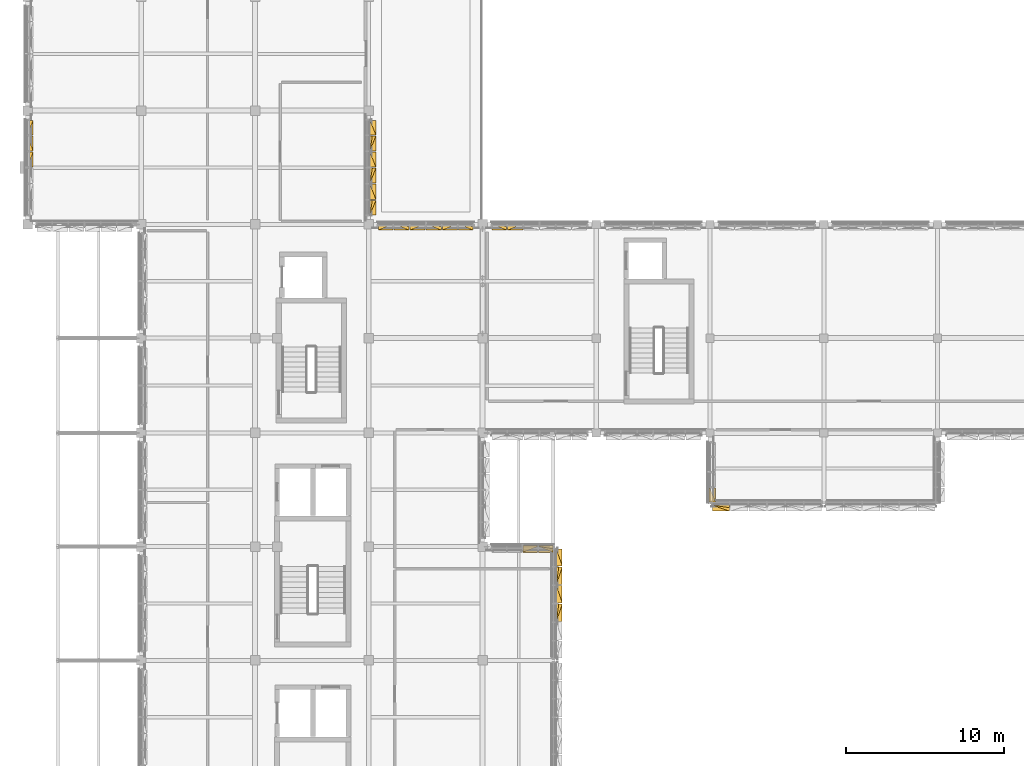
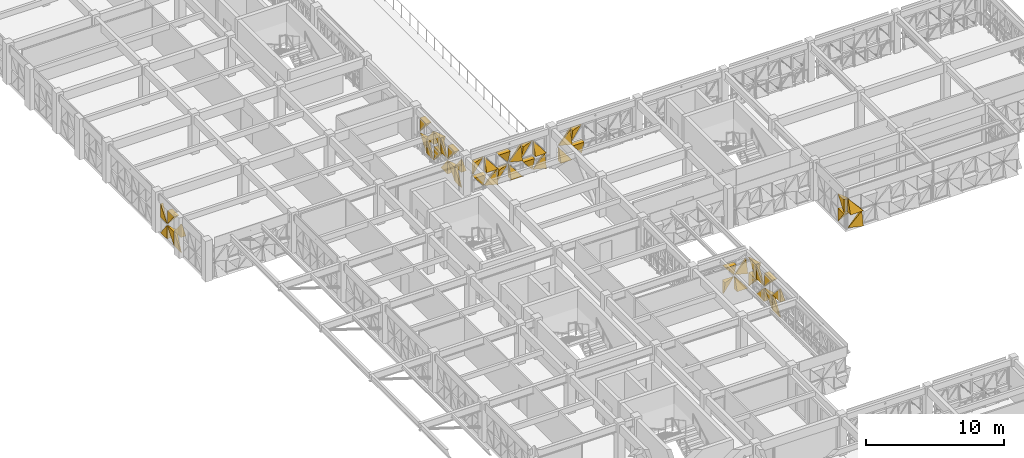
# One storey, part 91 of 99: 50 coverings.
"""IFC4 building model written with IfcOpenShell, lengths in metres."""

from ifc_helpers import new_model, si_unit, direction, frame, origin, place, context, subcontext, project, spatial, polygons, material, layer, layer_set, type_object, element, save


model = new_model("IFC4")

# Units and contexts
model_context = context("Model", 3, precision=1e-05, world=origin(), true_north=direction((0.0, 1.0)))
body_context = subcontext(model_context, "Body", "Model", "MODEL_VIEW")
ifc_project = project(units=[si_unit("LENGTHUNIT", "METRE"), si_unit("AREAUNIT", "SQUARE_METRE"), si_unit("VOLUMEUNIT", "CUBIC_METRE"), si_unit("PLANEANGLEUNIT", "RADIAN"), si_unit("MASSUNIT", "GRAM", prefix="KILO")], contexts=[model_context])

# Site, building, storey
site_placement = place(None, origin())
site = spatial("IfcSite", under=ifc_project, at=site_placement, CompositionType="ELEMENT")
building_placement = place(site_placement, origin())
building = spatial("IfcBuilding", under=site, at=building_placement, Name="Alvorim Cloister Faculty of Sciences", CompositionType="ELEMENT")
storey_placement = place(building_placement, frame((0.0, 0.0, 12.14990234375)))
storey = spatial("IfcBuildingStorey", under=building, at=storey_placement, Name="L03", CompositionType="ELEMENT", Elevation=12.14990234375)

# Coverings
ifc_material = material(Name="Perforated Bronze Alloy Sheet", Category="metal")
ifc_layer = layer(ifc_material, 0.0380859375)
ifc_layer_set = layer_set([ifc_layer], Name="Perforated Bronze Alloy Sheet")
covering_type = type_object("IfcCoveringType", Name="COV-TRI-BRZ", PredefinedType="CLADDING", material=ifc_layer_set)
covering_1_placement = place(storey_placement, frame((-0.044921875, 60.032470703125, 0.14013671875), z_axis=(0.0, 0.0, 1.0), x_axis=(0.0, 1.0, 0.0)))
element("IfcCovering", 1, at=covering_1_placement, inside=storey, type_object=covering_type, Name="Diagonal Solid Metal Triangle TRI-BR", PredefinedType="CLADDING", context=body_context, shape_type="Tessellation", body=[
    polygons([(0.002, 0.0260009765625, 0.0), (0.955078125, 0.0260009765625, 0.0), (0.955078125, 0.0260009765625, 1.21284375), (0.002, -0.03, 0.0), (0.955078125, -0.4, 0.0), (0.955078125, -0.18000000000000002, 1.21284375)], [[[1, 3, 2]], [[4, 5, 6]], [[1, 2, 5, 4]], [[2, 3, 6, 5]], [[3, 1, 4, 6]]], closed=True),
])
covering_2_placement = place(storey_placement, frame((-0.044921875, 60.032470703125, 1.4951171875), z_axis=(0.0, 0.0, 1.0), x_axis=(0.0, 1.0, 0.0)))
element("IfcCovering", 2, at=covering_2_placement, inside=storey, type_object=covering_type, Name="Diagonal Solid Metal Triangle TRI-BL", PredefinedType="CLADDING", context=body_context, shape_type="Tessellation", body=[
    polygons([(0.0, 0.0260009765625, 0.0), (0.953078125, 0.0260009765625, 0.0), (0.0, 0.0260009765625, 1.213087890625), (0.0, -0.4, 0.0), (0.953078125, -0.4, 0.0), (0.0, -0.03, 1.213087890625)], [[[1, 3, 2]], [[4, 5, 6]], [[1, 2, 5, 4]], [[2, 3, 6, 5]], [[3, 1, 4, 6]]], closed=True),
])
covering_3_placement = place(storey_placement, frame((-0.044921875, 61.052490234375, 0.14013671875), z_axis=(0.0, 0.0, 1.0), x_axis=(0.0, 1.0, 0.0)))
element("IfcCovering", 3, at=covering_3_placement, inside=storey, type_object=covering_type, Name="Diagonal Solid Metal Triangle TRI-TL", PredefinedType="CLADDING", context=body_context, shape_type="Tessellation", body=[
    polygons([(0.953078125, 0.0260009765625, 1.21484375), (0.0, 0.0260009765625, 1.21484375), (0.0, 0.0260009765625, 0.002), (0.953078125, -0.03, 1.21484375), (0.0, -0.4, 1.21484375), (0.0, -0.13999999999999999, 0.002)], [[[1, 3, 2]], [[4, 5, 6]], [[1, 2, 5, 4]], [[2, 3, 6, 5]], [[3, 1, 4, 6]]], closed=True),
])
covering_4_placement = place(storey_placement, frame((-0.044921875, 61.052490234375, 1.4951171875), z_axis=(0.0, 0.0, 1.0), x_axis=(0.0, 1.0, 0.0)))
element("IfcCovering", 4, at=covering_4_placement, inside=storey, type_object=covering_type, Name="Diagonal Solid Metal Triangle TRI-TR", PredefinedType="CLADDING", context=body_context, shape_type="Tessellation", body=[
    polygons([(0.955078125, 0.0260009765625, 0.002), (0.955078125, 0.0260009765625, 1.215087890625), (0.002, 0.0260009765625, 1.215087890625), (0.955078125, -0.03, 0.002), (0.955078125, -0.4, 1.215087890625), (0.002, -0.4, 1.215087890625)], [[[1, 3, 2]], [[4, 5, 6]], [[1, 2, 5, 4]], [[2, 3, 6, 5]], [[3, 1, 4, 6]]], closed=True),
])
covering_5_placement = place(storey_placement, frame((-0.044921875, 62.072509765625, 0.14013671875), z_axis=(0.0, 0.0, 1.0), x_axis=(0.0, 1.0, 0.0)))
element("IfcCovering", 5, at=covering_5_placement, inside=storey, type_object=covering_type, Name="Diagonal Solid Metal Triangle TRI-BL", PredefinedType="CLADDING", context=body_context, shape_type="Tessellation", body=[
    polygons([(0.0, 0.0260009765625, 0.0), (0.920607421875, 0.0260009765625, 0.0), (0.0, 0.0260009765625, 1.21284375), (0.0, -0.4, 0.0), (0.920607421875, -0.4, 0.0), (0.0, -0.03, 1.21284375)], [[[1, 3, 2]], [[4, 5, 6]], [[1, 2, 5, 4]], [[2, 3, 6, 5]], [[3, 1, 4, 6]]], closed=True),
])
covering_6_placement = place(storey_placement, frame((-0.044921875, 62.072509765625, 1.4951171875), z_axis=(0.0, 0.0, 1.0), x_axis=(0.0, 1.0, 0.0)))
element("IfcCovering", 6, at=covering_6_placement, inside=storey, type_object=covering_type, Name="Diagonal Solid Metal Triangle TRI-BR", PredefinedType="CLADDING", context=body_context, shape_type="Tessellation", body=[
    polygons([(0.002, 0.0260009765625, 0.0), (0.922607421875, 0.0260009765625, 0.0), (0.922607421875, 0.0260009765625, 1.213087890625), (0.002, -0.03, 0.0), (0.922607421875, -0.4, 0.0), (0.922607421875, -0.18000000000000002, 1.213087890625)], [[[1, 3, 2]], [[4, 5, 6]], [[1, 2, 5, 4]], [[2, 3, 6, 5]], [[3, 1, 4, 6]]], closed=True),
])
covering_7_placement = place(storey_placement, frame((21.64501953125, 57.0048828125, 0.14013671875), z_axis=(0.0, 0.0, 1.0), x_axis=(0.0, 1.0, 0.0)))
element("IfcCovering", 7, at=covering_7_placement, inside=storey, type_object=covering_type, Name="Diagonal Solid Metal Triangle TRI-BR", PredefinedType="CLADDING", context=body_context, shape_type="Tessellation", body=[
    polygons([(0.002, 0.0260009765625, 0.0), (0.922607421875, 0.0260009765625, 0.0), (0.922607421875, 0.0260009765625, 1.21284375), (0.002, -0.03, 0.0), (0.922607421875, -0.4, 0.0), (0.922607421875, -0.18000000000000002, 1.21284375)], [[[1, 3, 2]], [[4, 5, 6]], [[1, 2, 5, 4]], [[2, 3, 6, 5]], [[3, 1, 4, 6]]], closed=True),
])
covering_8_placement = place(storey_placement, frame((21.64501953125, 57.0048828125, 1.4951171875), z_axis=(0.0, 0.0, 1.0), x_axis=(0.0, 1.0, 0.0)))
element("IfcCovering", 8, at=covering_8_placement, inside=storey, type_object=covering_type, Name="Diagonal Solid Metal Triangle TRI-BL", PredefinedType="CLADDING", context=body_context, shape_type="Tessellation", body=[
    polygons([(0.0, 0.0260009765625, 0.0), (0.920607421875, 0.0260009765625, 0.0), (0.0, 0.0260009765625, 1.213087890625), (0.0, -0.4, 0.0), (0.920607421875, -0.4, 0.0), (0.0, -0.03, 1.213087890625)], [[[1, 3, 2]], [[4, 5, 6]], [[1, 2, 5, 4]], [[2, 3, 6, 5]], [[3, 1, 4, 6]]], closed=True),
])
covering_9_placement = place(storey_placement, frame((21.64501953125, 57.992431640625, 0.14013671875), z_axis=(0.0, 0.0, 1.0), x_axis=(0.0, 1.0, 0.0)))
element("IfcCovering", 9, at=covering_9_placement, inside=storey, type_object=covering_type, Name="Diagonal Solid Metal Triangle TRI-TL", PredefinedType="CLADDING", context=body_context, shape_type="Tessellation", body=[
    polygons([(0.953078125, 0.0260009765625, 1.21484375), (0.0, 0.0260009765625, 1.21484375), (0.0, 0.0260009765625, 0.002), (0.953078125, -0.03, 1.21484375), (0.0, -0.4, 1.21484375), (0.0, -0.13999999999999999, 0.002)], [[[1, 3, 2]], [[4, 5, 6]], [[1, 2, 5, 4]], [[2, 3, 6, 5]], [[3, 1, 4, 6]]], closed=True),
])
covering_10_placement = place(storey_placement, frame((21.64501953125, 57.992431640625, 1.4951171875), z_axis=(0.0, 0.0, 1.0), x_axis=(0.0, 1.0, 0.0)))
element("IfcCovering", 10, at=covering_10_placement, inside=storey, type_object=covering_type, Name="Diagonal Solid Metal Triangle TRI-TR", PredefinedType="CLADDING", context=body_context, shape_type="Tessellation", body=[
    polygons([(0.955078125, 0.0260009765625, 0.002), (0.955078125, 0.0260009765625, 1.215087890625), (0.002, 0.0260009765625, 1.215087890625), (0.955078125, -0.03, 0.002), (0.955078125, -0.4, 1.215087890625), (0.002, -0.4, 1.215087890625)], [[[1, 3, 2]], [[4, 5, 6]], [[1, 2, 5, 4]], [[2, 3, 6, 5]], [[3, 1, 4, 6]]], closed=True),
])
covering_11_placement = place(storey_placement, frame((21.64501953125, 59.012451171875, 0.14013671875), z_axis=(0.0, 0.0, 1.0), x_axis=(0.0, 1.0, 0.0)))
element("IfcCovering", 11, at=covering_11_placement, inside=storey, type_object=covering_type, Name="Diagonal Solid Metal Triangle TRI-BL", PredefinedType="CLADDING", context=body_context, shape_type="Tessellation", body=[
    polygons([(0.0, 0.0260009765625, 0.0), (0.953078125, 0.0260009765625, 0.0), (0.0, 0.0260009765625, 1.21284375), (0.0, -0.4, 0.0), (0.953078125, -0.4, 0.0), (0.0, -0.03, 1.21284375)], [[[1, 3, 2]], [[4, 5, 6]], [[1, 2, 5, 4]], [[2, 3, 6, 5]], [[3, 1, 4, 6]]], closed=True),
])
covering_12_placement = place(storey_placement, frame((21.64501953125, 59.012451171875, 1.4951171875), z_axis=(0.0, 0.0, 1.0), x_axis=(0.0, 1.0, 0.0)))
element("IfcCovering", 12, at=covering_12_placement, inside=storey, type_object=covering_type, Name="Diagonal Solid Metal Triangle TRI-BR", PredefinedType="CLADDING", context=body_context, shape_type="Tessellation", body=[
    polygons([(0.002, 0.0260009765625, 0.0), (0.955078125, 0.0260009765625, 0.0), (0.955078125, 0.0260009765625, 1.213087890625), (0.002, -0.03, 0.0), (0.955078125, -0.4, 0.0), (0.955078125, -0.18000000000000002, 1.213087890625)], [[[1, 3, 2]], [[4, 5, 6]], [[1, 2, 5, 4]], [[2, 3, 6, 5]], [[3, 1, 4, 6]]], closed=True),
])
covering_13_placement = place(storey_placement, frame((21.64501953125, 60.032470703125, 0.14013671875), z_axis=(0.0, 0.0, 1.0), x_axis=(0.0, 1.0, 0.0)))
element("IfcCovering", 13, at=covering_13_placement, inside=storey, type_object=covering_type, Name="Diagonal Solid Metal Triangle TRI-TR", PredefinedType="CLADDING", context=body_context, shape_type="Tessellation", body=[
    polygons([(0.955078125, 0.0260009765625, 0.002), (0.955078125, 0.0260009765625, 1.21484375), (0.002, 0.0260009765625, 1.21484375), (0.955078125, -0.03, 0.002), (0.955078125, -0.4, 1.21484375), (0.002, -0.4, 1.21484375)], [[[1, 3, 2]], [[4, 5, 6]], [[1, 2, 5, 4]], [[2, 3, 6, 5]], [[3, 1, 4, 6]]], closed=True),
])
covering_14_placement = place(storey_placement, frame((21.64501953125, 60.032470703125, 1.4951171875), z_axis=(0.0, 0.0, 1.0), x_axis=(0.0, 1.0, 0.0)))
element("IfcCovering", 14, at=covering_14_placement, inside=storey, type_object=covering_type, Name="Diagonal Solid Metal Triangle TRI-TL", PredefinedType="CLADDING", context=body_context, shape_type="Tessellation", body=[
    polygons([(0.953078125, 0.0260009765625, 1.215087890625), (0.0, 0.0260009765625, 1.215087890625), (0.0, 0.0260009765625, 0.002), (0.953078125, -0.03, 1.215087890625), (0.0, -0.4, 1.215087890625), (0.0, -0.13999999999999999, 0.002)], [[[1, 3, 2]], [[4, 5, 6]], [[1, 2, 5, 4]], [[2, 3, 6, 5]], [[3, 1, 4, 6]]], closed=True),
])
covering_15_placement = place(storey_placement, frame((21.64501953125, 61.052490234375, 0.14013671875), z_axis=(0.0, 0.0, 1.0), x_axis=(0.0, 1.0, 0.0)))
element("IfcCovering", 15, at=covering_15_placement, inside=storey, type_object=covering_type, Name="Diagonal Solid Metal Triangle TRI-BR", PredefinedType="CLADDING", context=body_context, shape_type="Tessellation", body=[
    polygons([(0.002, 0.0260009765625, 0.0), (0.955078125, 0.0260009765625, 0.0), (0.955078125, 0.0260009765625, 1.21284375), (0.002, -0.03, 0.0), (0.955078125, -0.4, 0.0), (0.955078125, -0.18000000000000002, 1.21284375)], [[[1, 3, 2]], [[4, 5, 6]], [[1, 2, 5, 4]], [[2, 3, 6, 5]], [[3, 1, 4, 6]]], closed=True),
])
covering_16_placement = place(storey_placement, frame((21.64501953125, 61.052490234375, 1.4951171875), z_axis=(0.0, 0.0, 1.0), x_axis=(0.0, 1.0, 0.0)))
element("IfcCovering", 16, at=covering_16_placement, inside=storey, type_object=covering_type, Name="Diagonal Solid Metal Triangle TRI-BL", PredefinedType="CLADDING", context=body_context, shape_type="Tessellation", body=[
    polygons([(0.0, 0.0260009765625, 0.0), (0.953078125, 0.0260009765625, 0.0), (0.0, 0.0260009765625, 1.213087890625), (0.0, -0.4, 0.0), (0.953078125, -0.4, 0.0), (0.0, -0.03, 1.213087890625)], [[[1, 3, 2]], [[4, 5, 6]], [[1, 2, 5, 4]], [[2, 3, 6, 5]], [[3, 1, 4, 6]]], closed=True),
])
covering_17_placement = place(storey_placement, frame((21.64501953125, 62.072509765625, 0.14013671875), z_axis=(0.0, 0.0, 1.0), x_axis=(0.0, 1.0, 0.0)))
element("IfcCovering", 17, at=covering_17_placement, inside=storey, type_object=covering_type, Name="Diagonal Solid Metal Triangle TRI-TL", PredefinedType="CLADDING", context=body_context, shape_type="Tessellation", body=[
    polygons([(0.920607421875, 0.0260009765625, 1.21484375), (0.0, 0.0260009765625, 1.21484375), (0.0, 0.0260009765625, 0.002), (0.920607421875, -0.03, 1.21484375), (0.0, -0.4, 1.21484375), (0.0, -0.13999999999999999, 0.002)], [[[1, 3, 2]], [[4, 5, 6]], [[1, 2, 5, 4]], [[2, 3, 6, 5]], [[3, 1, 4, 6]]], closed=True),
])
covering_18_placement = place(storey_placement, frame((21.64501953125, 62.072509765625, 1.4951171875), z_axis=(0.0, 0.0, 1.0), x_axis=(0.0, 1.0, 0.0)))
element("IfcCovering", 18, at=covering_18_placement, inside=storey, type_object=covering_type, Name="Diagonal Solid Metal Triangle TRI-TR", PredefinedType="CLADDING", context=body_context, shape_type="Tessellation", body=[
    polygons([(0.922607421875, 0.0260009765625, 0.002), (0.922607421875, 0.0260009765625, 1.215087890625), (0.002, 0.0260009765625, 1.215087890625), (0.922607421875, -0.03, 0.002), (0.922607421875, -0.4, 1.215087890625), (0.002, -0.4, 1.215087890625)], [[[1, 3, 2]], [[4, 5, 6]], [[1, 2, 5, 4]], [[2, 3, 6, 5]], [[3, 1, 4, 6]]], closed=True),
])
covering_19_placement = place(storey_placement, frame((22.205078125, 56.445068359375, 0.14013671875), z_axis=(0.0, 0.0, 1.0), x_axis=(1.0, 0.0, 0.0)))
element("IfcCovering", 19, at=covering_19_placement, inside=storey, type_object=covering_type, Name="Diagonal Solid Metal Triangle TRI-TR", PredefinedType="CLADDING", context=body_context, shape_type="Tessellation", body=[
    polygons([(0.922607421875, 0.0260009765625, 0.002), (0.922607421875, 0.0260009765625, 1.21484375), (0.002, 0.0260009765625, 1.21484375), (0.922607421875, -0.03, 0.002), (0.922607421875, -0.4, 1.21484375), (0.002, -0.4, 1.21484375)], [[[1, 3, 2]], [[4, 5, 6]], [[1, 2, 5, 4]], [[2, 3, 6, 5]], [[3, 1, 4, 6]]], closed=True),
])
covering_20_placement = place(storey_placement, frame((22.205078125, 56.445068359375, 1.4951171875), z_axis=(0.0, 0.0, 1.0), x_axis=(1.0, 0.0, 0.0)))
element("IfcCovering", 20, at=covering_20_placement, inside=storey, type_object=covering_type, Name="Diagonal Solid Metal Triangle TRI-TL", PredefinedType="CLADDING", context=body_context, shape_type="Tessellation", body=[
    polygons([(0.920607421875, 0.0260009765625, 1.215087890625), (0.0, 0.0260009765625, 1.215087890625), (0.0, 0.0260009765625, 0.002), (0.920607421875, -0.03, 1.215087890625), (0.0, -0.4, 1.215087890625), (0.0, -0.13999999999999999, 0.002)], [[[1, 3, 2]], [[4, 5, 6]], [[1, 2, 5, 4]], [[2, 3, 6, 5]], [[3, 1, 4, 6]]], closed=True),
])
covering_21_placement = place(storey_placement, frame((23.1923828125, 56.445068359375, 0.14013671875), z_axis=(0.0, 0.0, 1.0), x_axis=(1.0, 0.0, 0.0)))
element("IfcCovering", 21, at=covering_21_placement, inside=storey, type_object=covering_type, Name="Diagonal Solid Metal Triangle TRI-BR", PredefinedType="CLADDING", context=body_context, shape_type="Tessellation", body=[
    polygons([(0.002, 0.0260009765625, 0.0), (0.955078125, 0.0260009765625, 0.0), (0.955078125, 0.0260009765625, 1.21284375), (0.002, -0.03, 0.0), (0.955078125, -0.4, 0.0), (0.955078125, -0.18000000000000002, 1.21284375)], [[[1, 3, 2]], [[4, 5, 6]], [[1, 2, 5, 4]], [[2, 3, 6, 5]], [[3, 1, 4, 6]]], closed=True),
])
covering_22_placement = place(storey_placement, frame((23.1923828125, 56.445068359375, 1.4951171875), z_axis=(0.0, 0.0, 1.0), x_axis=(1.0, 0.0, 0.0)))
element("IfcCovering", 22, at=covering_22_placement, inside=storey, type_object=covering_type, Name="Diagonal Solid Metal Triangle TRI-BL", PredefinedType="CLADDING", context=body_context, shape_type="Tessellation", body=[
    polygons([(0.0, 0.0260009765625, 0.0), (0.953078125, 0.0260009765625, 0.0), (0.0, 0.0260009765625, 1.213087890625), (0.0, -0.4, 0.0), (0.953078125, -0.4, 0.0), (0.0, -0.03, 1.213087890625)], [[[1, 3, 2]], [[4, 5, 6]], [[1, 2, 5, 4]], [[2, 3, 6, 5]], [[3, 1, 4, 6]]], closed=True),
])
covering_23_placement = place(storey_placement, frame((24.21240234375, 56.445068359375, 0.14013671875), z_axis=(0.0, 0.0, 1.0), x_axis=(1.0, 0.0, 0.0)))
element("IfcCovering", 23, at=covering_23_placement, inside=storey, type_object=covering_type, Name="Diagonal Solid Metal Triangle TRI-TL", PredefinedType="CLADDING", context=body_context, shape_type="Tessellation", body=[
    polygons([(0.953078125, 0.0260009765625, 1.21484375), (0.0, 0.0260009765625, 1.21484375), (0.0, 0.0260009765625, 0.002), (0.953078125, -0.03, 1.21484375), (0.0, -0.4, 1.21484375), (0.0, -0.13999999999999999, 0.002)], [[[1, 3, 2]], [[4, 5, 6]], [[1, 2, 5, 4]], [[2, 3, 6, 5]], [[3, 1, 4, 6]]], closed=True),
])
covering_24_placement = place(storey_placement, frame((24.21240234375, 56.445068359375, 1.4951171875), z_axis=(0.0, 0.0, 1.0), x_axis=(1.0, 0.0, 0.0)))
element("IfcCovering", 24, at=covering_24_placement, inside=storey, type_object=covering_type, Name="Diagonal Solid Metal Triangle TRI-TR", PredefinedType="CLADDING", context=body_context, shape_type="Tessellation", body=[
    polygons([(0.955078125, 0.0260009765625, 0.002), (0.955078125, 0.0260009765625, 1.215087890625), (0.002, 0.0260009765625, 1.215087890625), (0.955078125, -0.03, 0.002), (0.955078125, -0.4, 1.215087890625), (0.002, -0.4, 1.215087890625)], [[[1, 3, 2]], [[4, 5, 6]], [[1, 2, 5, 4]], [[2, 3, 6, 5]], [[3, 1, 4, 6]]], closed=True),
])
covering_25_placement = place(storey_placement, frame((25.232421875, 56.445068359375, 0.14013671875), z_axis=(0.0, 0.0, 1.0), x_axis=(1.0, 0.0, 0.0)))
element("IfcCovering", 25, at=covering_25_placement, inside=storey, type_object=covering_type, Name="Diagonal Solid Metal Triangle TRI-BL", PredefinedType="CLADDING", context=body_context, shape_type="Tessellation", body=[
    polygons([(0.0, 0.0260009765625, 0.0), (0.953078125, 0.0260009765625, 0.0), (0.0, 0.0260009765625, 1.21284375), (0.0, -0.4, 0.0), (0.953078125, -0.4, 0.0), (0.0, -0.03, 1.21284375)], [[[1, 3, 2]], [[4, 5, 6]], [[1, 2, 5, 4]], [[2, 3, 6, 5]], [[3, 1, 4, 6]]], closed=True),
])
covering_26_placement = place(storey_placement, frame((25.232421875, 56.445068359375, 1.4951171875), z_axis=(0.0, 0.0, 1.0), x_axis=(1.0, 0.0, 0.0)))
element("IfcCovering", 26, at=covering_26_placement, inside=storey, type_object=covering_type, Name="Diagonal Solid Metal Triangle TRI-BR", PredefinedType="CLADDING", context=body_context, shape_type="Tessellation", body=[
    polygons([(0.002, 0.0260009765625, 0.0), (0.955078125, 0.0260009765625, 0.0), (0.955078125, 0.0260009765625, 1.213087890625), (0.002, -0.03, 0.0), (0.955078125, -0.4, 0.0), (0.955078125, -0.18000000000000002, 1.213087890625)], [[[1, 3, 2]], [[4, 5, 6]], [[1, 2, 5, 4]], [[2, 3, 6, 5]], [[3, 1, 4, 6]]], closed=True),
])
covering_27_placement = place(storey_placement, frame((26.25244140625, 56.445068359375, 0.14013671875), z_axis=(0.0, 0.0, 1.0), x_axis=(1.0, 0.0, 0.0)))
element("IfcCovering", 27, at=covering_27_placement, inside=storey, type_object=covering_type, Name="Diagonal Solid Metal Triangle TRI-TR", PredefinedType="CLADDING", context=body_context, shape_type="Tessellation", body=[
    polygons([(0.955078125, 0.0260009765625, 0.002), (0.955078125, 0.0260009765625, 1.21484375), (0.002, 0.0260009765625, 1.21484375), (0.955078125, -0.03, 0.002), (0.955078125, -0.4, 1.21484375), (0.002, -0.4, 1.21484375)], [[[1, 3, 2]], [[4, 5, 6]], [[1, 2, 5, 4]], [[2, 3, 6, 5]], [[3, 1, 4, 6]]], closed=True),
])
covering_28_placement = place(storey_placement, frame((26.25244140625, 56.445068359375, 1.4951171875), z_axis=(0.0, 0.0, 1.0), x_axis=(1.0, 0.0, 0.0)))
element("IfcCovering", 28, at=covering_28_placement, inside=storey, type_object=covering_type, Name="Diagonal Solid Metal Triangle TRI-TL", PredefinedType="CLADDING", context=body_context, shape_type="Tessellation", body=[
    polygons([(0.953078125, 0.0260009765625, 1.215087890625), (0.0, 0.0260009765625, 1.215087890625), (0.0, 0.0260009765625, 0.002), (0.953078125, -0.03, 1.215087890625), (0.0, -0.4, 1.215087890625), (0.0, -0.13999999999999999, 0.002)], [[[1, 3, 2]], [[4, 5, 6]], [[1, 2, 5, 4]], [[2, 3, 6, 5]], [[3, 1, 4, 6]]], closed=True),
])
covering_29_placement = place(storey_placement, frame((27.2724609375, 56.445068359375, 0.14013671875), z_axis=(0.0, 0.0, 1.0), x_axis=(1.0, 0.0, 0.0)))
element("IfcCovering", 29, at=covering_29_placement, inside=storey, type_object=covering_type, Name="Diagonal Solid Metal Triangle TRI-BR", PredefinedType="CLADDING", context=body_context, shape_type="Tessellation", body=[
    polygons([(0.002, 0.0260009765625, 0.0), (0.922607421875, 0.0260009765625, 0.0), (0.922607421875, 0.0260009765625, 1.21284375), (0.002, -0.03, 0.0), (0.922607421875, -0.4, 0.0), (0.922607421875, -0.18000000000000002, 1.21284375)], [[[1, 3, 2]], [[4, 5, 6]], [[1, 2, 5, 4]], [[2, 3, 6, 5]], [[3, 1, 4, 6]]], closed=True),
])
covering_30_placement = place(storey_placement, frame((27.2724609375, 56.445068359375, 1.4951171875), z_axis=(0.0, 0.0, 1.0), x_axis=(1.0, 0.0, 0.0)))
element("IfcCovering", 30, at=covering_30_placement, inside=storey, type_object=covering_type, Name="Diagonal Solid Metal Triangle TRI-BL", PredefinedType="CLADDING", context=body_context, shape_type="Tessellation", body=[
    polygons([(0.0, 0.0260009765625, 0.0), (0.920607421875, 0.0260009765625, 0.0), (0.0, 0.0260009765625, 1.213087890625), (0.0, -0.4, 0.0), (0.920607421875, -0.4, 0.0), (0.0, -0.03, 1.213087890625)], [[[1, 3, 2]], [[4, 5, 6]], [[1, 2, 5, 4]], [[2, 3, 6, 5]], [[3, 1, 4, 6]]], closed=True),
])
covering_31_placement = place(storey_placement, frame((29.405029296875, 56.445068359375, 0.14013671875), z_axis=(0.0, 0.0, 1.0), x_axis=(1.0, 0.0, 0.0)))
element("IfcCovering", 31, at=covering_31_placement, inside=storey, type_object=covering_type, Name="Diagonal Solid Metal Triangle TRI-BL", PredefinedType="CLADDING", context=body_context, shape_type="Tessellation", body=[
    polygons([(0.0, 0.0260009765625, 0.0), (0.920607421875, 0.0260009765625, 0.0), (0.0, 0.0260009765625, 1.21284375), (0.0, -0.4, 0.0), (0.920607421875, -0.4, 0.0), (0.0, -0.03, 1.21284375)], [[[1, 3, 2]], [[4, 5, 6]], [[1, 2, 5, 4]], [[2, 3, 6, 5]], [[3, 1, 4, 6]]], closed=True),
])
covering_32_placement = place(storey_placement, frame((29.405029296875, 56.445068359375, 1.4951171875), z_axis=(0.0, 0.0, 1.0), x_axis=(1.0, 0.0, 0.0)))
element("IfcCovering", 32, at=covering_32_placement, inside=storey, type_object=covering_type, Name="Diagonal Solid Metal Triangle TRI-BR", PredefinedType="CLADDING", context=body_context, shape_type="Tessellation", body=[
    polygons([(0.002, 0.0260009765625, 0.0), (0.922607421875, 0.0260009765625, 0.0), (0.922607421875, 0.0260009765625, 1.213087890625), (0.002, -0.03, 0.0), (0.922607421875, -0.4, 0.0), (0.922607421875, -0.18000000000000002, 1.213087890625)], [[[1, 3, 2]], [[4, 5, 6]], [[1, 2, 5, 4]], [[2, 3, 6, 5]], [[3, 1, 4, 6]]], closed=True),
])
covering_33_placement = place(storey_placement, frame((30.392578125, 56.445068359375, 0.14013671875), z_axis=(0.0, 0.0, 1.0), x_axis=(1.0, 0.0, 0.0)))
element("IfcCovering", 33, at=covering_33_placement, inside=storey, type_object=covering_type, Name="Diagonal Solid Metal Triangle TRI-TR", PredefinedType="CLADDING", context=body_context, shape_type="Tessellation", body=[
    polygons([(0.955078125, 0.0260009765625, 0.002), (0.955078125, 0.0260009765625, 1.21484375), (0.002, 0.0260009765625, 1.21484375), (0.955078125, -0.03, 0.002), (0.955078125, -0.4, 1.21484375), (0.002, -0.4, 1.21484375)], [[[1, 3, 2]], [[4, 5, 6]], [[1, 2, 5, 4]], [[2, 3, 6, 5]], [[3, 1, 4, 6]]], closed=True),
])
covering_34_placement = place(storey_placement, frame((30.392578125, 56.445068359375, 1.4951171875), z_axis=(0.0, 0.0, 1.0), x_axis=(1.0, 0.0, 0.0)))
element("IfcCovering", 34, at=covering_34_placement, inside=storey, type_object=covering_type, Name="Diagonal Solid Metal Triangle TRI-TL", PredefinedType="CLADDING", context=body_context, shape_type="Tessellation", body=[
    polygons([(0.953078125, 0.0260009765625, 1.215087890625), (0.0, 0.0260009765625, 1.215087890625), (0.0, 0.0260009765625, 0.002), (0.953078125, -0.03, 1.215087890625), (0.0, -0.4, 1.215087890625), (0.0, -0.13999999999999999, 0.002)], [[[1, 3, 2]], [[4, 5, 6]], [[1, 2, 5, 4]], [[2, 3, 6, 5]], [[3, 1, 4, 6]]], closed=True),
])
covering_35_placement = place(storey_placement, frame((43.344970703125, 38.655029296875, 0.14013671875), z_axis=(0.0, 0.0, 1.0), x_axis=(1.0, 0.0, 0.0)))
element("IfcCovering", 35, at=covering_35_placement, inside=storey, type_object=covering_type, Name="Diagonal Solid Metal Triangle TRI-BR", PredefinedType="CLADDING", context=body_context, shape_type="Tessellation", body=[
    polygons([(0.002, 0.0260009765625, 0.0), (1.075927734375, 0.0260009765625, 0.0), (1.075927734375, 0.0260009765625, 1.216505859375), (0.002, -0.03, 0.0), (1.075927734375, -0.4, 0.0), (1.075927734375, -0.18000000000000002, 1.216505859375)], [[[1, 3, 2]], [[4, 5, 6]], [[1, 2, 5, 4]], [[2, 3, 6, 5]], [[3, 1, 4, 6]]], closed=True),
])
covering_36_placement = place(storey_placement, frame((43.344970703125, 38.655029296875, 1.49853515625), z_axis=(0.0, 0.0, 1.0), x_axis=(1.0, 0.0, 0.0)))
element("IfcCovering", 36, at=covering_36_placement, inside=storey, type_object=covering_type, Name="Diagonal Solid Metal Triangle TRI-BL", PredefinedType="CLADDING", context=body_context, shape_type="Tessellation", body=[
    polygons([(0.0, 0.0260009765625, 0.0), (1.073927734375, 0.0260009765625, 0.0), (0.0, 0.0260009765625, 1.216505859375), (0.0, -0.4, 0.0), (1.073927734375, -0.4, 0.0), (0.0, -0.03, 1.216505859375)], [[[1, 3, 2]], [[4, 5, 6]], [[1, 2, 5, 4]], [[2, 3, 6, 5]], [[3, 1, 4, 6]]], closed=True),
])
covering_37_placement = place(storey_placement, frame((43.155029296875, 38.844970703125, 0.14013671875), z_axis=(0.0, 0.0, 1.0), x_axis=(0.0, 1.0, 0.0)))
element("IfcCovering", 37, at=covering_37_placement, inside=storey, type_object=covering_type, Name="Diagonal Solid Metal Triangle TRI-TR", PredefinedType="CLADDING", context=body_context, shape_type="Tessellation", body=[
    polygons([(0.87255859375, 0.0260009765625, 0.002), (0.87255859375, 0.0260009765625, 1.14306640625), (0.002, 0.0260009765625, 1.14306640625), (0.87255859375, -0.03, 0.002), (0.87255859375, -0.4, 1.14306640625), (0.002, -0.4, 1.14306640625)], [[[1, 3, 2]], [[4, 5, 6]], [[1, 2, 5, 4]], [[2, 3, 6, 5]], [[3, 1, 4, 6]]], closed=True),
])
covering_38_placement = place(storey_placement, frame((43.155029296875, 38.844970703125, 1.423095703125), z_axis=(0.0, 0.0, 1.0), x_axis=(0.0, 1.0, 0.0)))
element("IfcCovering", 38, at=covering_38_placement, inside=storey, type_object=covering_type, Name="Diagonal Solid Metal Triangle TRI-TL", PredefinedType="CLADDING", context=body_context, shape_type="Tessellation", body=[
    polygons([(0.87055859375, 0.0260009765625, 1.14306640625), (0.0, 0.0260009765625, 1.14306640625), (0.0, 0.0260009765625, 0.002), (0.87055859375, -0.03, 1.14306640625), (0.0, -0.4, 1.14306640625), (0.0, -0.13999999999999999, 0.002)], [[[1, 3, 2]], [[4, 5, 6]], [[1, 2, 5, 4]], [[2, 3, 6, 5]], [[3, 1, 4, 6]]], closed=True),
])
covering_39_placement = place(storey_placement, frame((31.362548828125, 36.044921875, 0.14013671875), z_axis=(0.0, 0.0, 1.0), x_axis=(1.0, 0.0, 0.0)))
element("IfcCovering", 39, at=covering_39_placement, inside=storey, type_object=covering_type, Name="Diagonal Solid Metal Triangle TRI-TL", PredefinedType="CLADDING", context=body_context, shape_type="Tessellation", body=[
    polygons([(0.927931640625, 0.0260009765625, 1.14306640625), (0.0, 0.0260009765625, 1.14306640625), (0.0, 0.0260009765625, 0.002), (0.927931640625, -0.03, 1.14306640625), (0.0, -0.4, 1.14306640625), (0.0, -0.13999999999999999, 0.002)], [[[1, 3, 2]], [[4, 5, 6]], [[1, 2, 5, 4]], [[2, 3, 6, 5]], [[3, 1, 4, 6]]], closed=True),
])
covering_40_placement = place(storey_placement, frame((31.362548828125, 36.044921875, 1.423095703125), z_axis=(0.0, 0.0, 1.0), x_axis=(1.0, 0.0, 0.0)))
element("IfcCovering", 40, at=covering_40_placement, inside=storey, type_object=covering_type, Name="Diagonal Solid Metal Triangle TRI-TR", PredefinedType="CLADDING", context=body_context, shape_type="Tessellation", body=[
    polygons([(0.929931640625, 0.0260009765625, 0.002), (0.929931640625, 0.0260009765625, 1.14306640625), (0.002, 0.0260009765625, 1.14306640625), (0.929931640625, -0.03, 0.002), (0.929931640625, -0.4, 1.14306640625), (0.002, -0.4, 1.14306640625)], [[[1, 3, 2]], [[4, 5, 6]], [[1, 2, 5, 4]], [[2, 3, 6, 5]], [[3, 1, 4, 6]]], closed=True),
])
covering_41_placement = place(storey_placement, frame((32.357421875, 36.044921875, 0.14013671875), z_axis=(0.0, 0.0, 1.0), x_axis=(1.0, 0.0, 0.0)))
element("IfcCovering", 41, at=covering_41_placement, inside=storey, type_object=covering_type, Name="Diagonal Solid Metal Triangle TRI-BL", PredefinedType="CLADDING", context=body_context, shape_type="Tessellation", body=[
    polygons([(0.0, 0.0260009765625, 0.0), (0.8954609375, 0.0260009765625, 0.0), (0.0, 0.0260009765625, 1.14106640625), (0.0, -0.4, 0.0), (0.8954609375, -0.4, 0.0), (0.0, -0.03, 1.14106640625)], [[[1, 3, 2]], [[4, 5, 6]], [[1, 2, 5, 4]], [[2, 3, 6, 5]], [[3, 1, 4, 6]]], closed=True),
])
covering_42_placement = place(storey_placement, frame((32.357421875, 36.044921875, 1.423095703125), z_axis=(0.0, 0.0, 1.0), x_axis=(1.0, 0.0, 0.0)))
element("IfcCovering", 42, at=covering_42_placement, inside=storey, type_object=covering_type, Name="Diagonal Solid Metal Triangle TRI-BR", PredefinedType="CLADDING", context=body_context, shape_type="Tessellation", body=[
    polygons([(0.002, 0.0260009765625, 0.0), (0.8974609375, 0.0260009765625, 0.0), (0.8974609375, 0.0260009765625, 1.14106640625), (0.002, -0.03, 0.0), (0.8974609375, -0.4, 0.0), (0.8974609375, -0.18000000000000002, 1.14106640625)], [[[1, 3, 2]], [[4, 5, 6]], [[1, 2, 5, 4]], [[2, 3, 6, 5]], [[3, 1, 4, 6]]], closed=True),
])
covering_43_placement = place(storey_placement, frame((33.445068359375, 31.25927734375, 0.14013671875), z_axis=(0.0, 0.0, 1.0), x_axis=(0.0, 1.0, 0.0)))
element("IfcCovering", 43, at=covering_43_placement, inside=storey, type_object=covering_type, Name="Diagonal Solid Metal Triangle TRI-BR", PredefinedType="CLADDING", context=body_context, shape_type="Tessellation", body=[
    polygons([(0.002, 0.0260009765625, 0.0), (1.1083984375, 0.0260009765625, 0.0), (1.1083984375, 0.0260009765625, 1.216505859375), (0.002, -0.03, 0.0), (1.1083984375, -0.4, 0.0), (1.1083984375, -0.18000000000000002, 1.216505859375)], [[[1, 3, 2]], [[4, 5, 6]], [[1, 2, 5, 4]], [[2, 3, 6, 5]], [[3, 1, 4, 6]]], closed=True),
])
covering_44_placement = place(storey_placement, frame((33.445068359375, 31.25927734375, 1.49853515625), z_axis=(0.0, 0.0, 1.0), x_axis=(0.0, 1.0, 0.0)))
element("IfcCovering", 44, at=covering_44_placement, inside=storey, type_object=covering_type, Name="Diagonal Solid Metal Triangle TRI-BL", PredefinedType="CLADDING", context=body_context, shape_type="Tessellation", body=[
    polygons([(0.0, 0.0260009765625, 0.0), (1.1063984375, 0.0260009765625, 0.0), (0.0, 0.0260009765625, 1.216505859375), (0.0, -0.4, 0.0), (1.1063984375, -0.4, 0.0), (0.0, -0.03, 1.216505859375)], [[[1, 3, 2]], [[4, 5, 6]], [[1, 2, 5, 4]], [[2, 3, 6, 5]], [[3, 1, 4, 6]]], closed=True),
])
covering_45_placement = place(storey_placement, frame((33.445068359375, 32.4326171875, 0.14013671875), z_axis=(0.0, 0.0, 1.0), x_axis=(0.0, 1.0, 0.0)))
element("IfcCovering", 45, at=covering_45_placement, inside=storey, type_object=covering_type, Name="Diagonal Solid Metal Triangle TRI-TL", PredefinedType="CLADDING", context=body_context, shape_type="Tessellation", body=[
    polygons([(1.1063984375, 0.0260009765625, 1.218505859375), (0.0, 0.0260009765625, 1.218505859375), (0.0, 0.0260009765625, 0.002), (1.1063984375, -0.03, 1.218505859375), (0.0, -0.4, 1.218505859375), (0.0, -0.13999999999999999, 0.002)], [[[1, 3, 2]], [[4, 5, 6]], [[1, 2, 5, 4]], [[2, 3, 6, 5]], [[3, 1, 4, 6]]], closed=True),
])
covering_46_placement = place(storey_placement, frame((33.445068359375, 32.4326171875, 1.49853515625), z_axis=(0.0, 0.0, 1.0), x_axis=(0.0, 1.0, 0.0)))
element("IfcCovering", 46, at=covering_46_placement, inside=storey, type_object=covering_type, Name="Diagonal Solid Metal Triangle TRI-TR", PredefinedType="CLADDING", context=body_context, shape_type="Tessellation", body=[
    polygons([(1.1083984375, 0.0260009765625, 0.002), (1.1083984375, 0.0260009765625, 1.218505859375), (0.002, 0.0260009765625, 1.218505859375), (1.1083984375, -0.03, 0.002), (1.1083984375, -0.4, 1.218505859375), (0.002, -0.4, 1.218505859375)], [[[1, 3, 2]], [[4, 5, 6]], [[1, 2, 5, 4]], [[2, 3, 6, 5]], [[3, 1, 4, 6]]], closed=True),
])
covering_47_placement = place(storey_placement, frame((33.445068359375, 33.605712890625, 0.14013671875), z_axis=(0.0, 0.0, 1.0), x_axis=(0.0, 1.0, 0.0)))
element("IfcCovering", 47, at=covering_47_placement, inside=storey, type_object=covering_type, Name="Diagonal Solid Metal Triangle TRI-BL", PredefinedType="CLADDING", context=body_context, shape_type="Tessellation", body=[
    polygons([(0.0, 0.0260009765625, 0.0), (1.1063984375, 0.0260009765625, 0.0), (0.0, 0.0260009765625, 1.216505859375), (0.0, -0.4, 0.0), (1.1063984375, -0.4, 0.0), (0.0, -0.03, 1.216505859375)], [[[1, 3, 2]], [[4, 5, 6]], [[1, 2, 5, 4]], [[2, 3, 6, 5]], [[3, 1, 4, 6]]], closed=True),
])
covering_48_placement = place(storey_placement, frame((33.445068359375, 33.605712890625, 1.49853515625), z_axis=(0.0, 0.0, 1.0), x_axis=(0.0, 1.0, 0.0)))
element("IfcCovering", 48, at=covering_48_placement, inside=storey, type_object=covering_type, Name="Diagonal Solid Metal Triangle TRI-BR", PredefinedType="CLADDING", context=body_context, shape_type="Tessellation", body=[
    polygons([(0.002, 0.0260009765625, 0.0), (1.1083984375, 0.0260009765625, 0.0), (1.1083984375, 0.0260009765625, 1.216505859375), (0.002, -0.03, 0.0), (1.1083984375, -0.4, 0.0), (1.1083984375, -0.18000000000000002, 1.216505859375)], [[[1, 3, 2]], [[4, 5, 6]], [[1, 2, 5, 4]], [[2, 3, 6, 5]], [[3, 1, 4, 6]]], closed=True),
])
covering_49_placement = place(storey_placement, frame((33.445068359375, 34.779052734375, 0.14013671875), z_axis=(0.0, 0.0, 1.0), x_axis=(0.0, 1.0, 0.0)))
element("IfcCovering", 49, at=covering_49_placement, inside=storey, type_object=covering_type, Name="Diagonal Solid Metal Triangle TRI-TR", PredefinedType="CLADDING", context=body_context, shape_type="Tessellation", body=[
    polygons([(1.075927734375, 0.0260009765625, 0.002), (1.075927734375, 0.0260009765625, 1.218505859375), (0.002, 0.0260009765625, 1.218505859375), (1.075927734375, -0.03, 0.002), (1.075927734375, -0.4, 1.218505859375), (0.002, -0.4, 1.218505859375)], [[[1, 3, 2]], [[4, 5, 6]], [[1, 2, 5, 4]], [[2, 3, 6, 5]], [[3, 1, 4, 6]]], closed=True),
])
covering_50_placement = place(storey_placement, frame((33.445068359375, 34.779052734375, 1.49853515625), z_axis=(0.0, 0.0, 1.0), x_axis=(0.0, 1.0, 0.0)))
element("IfcCovering", 50, at=covering_50_placement, inside=storey, type_object=covering_type, Name="Diagonal Solid Metal Triangle TRI-TL", PredefinedType="CLADDING", context=body_context, shape_type="Tessellation", body=[
    polygons([(1.073927734375, 0.0260009765625, 1.218505859375), (0.0, 0.0260009765625, 1.218505859375), (0.0, 0.0260009765625, 0.002), (1.073927734375, -0.03, 1.218505859375), (0.0, -0.4, 1.218505859375), (0.0, -0.13999999999999999, 0.002)], [[[1, 3, 2]], [[4, 5, 6]], [[1, 2, 5, 4]], [[2, 3, 6, 5]], [[3, 1, 4, 6]]], closed=True),
])

save(model, "model.ifc")
